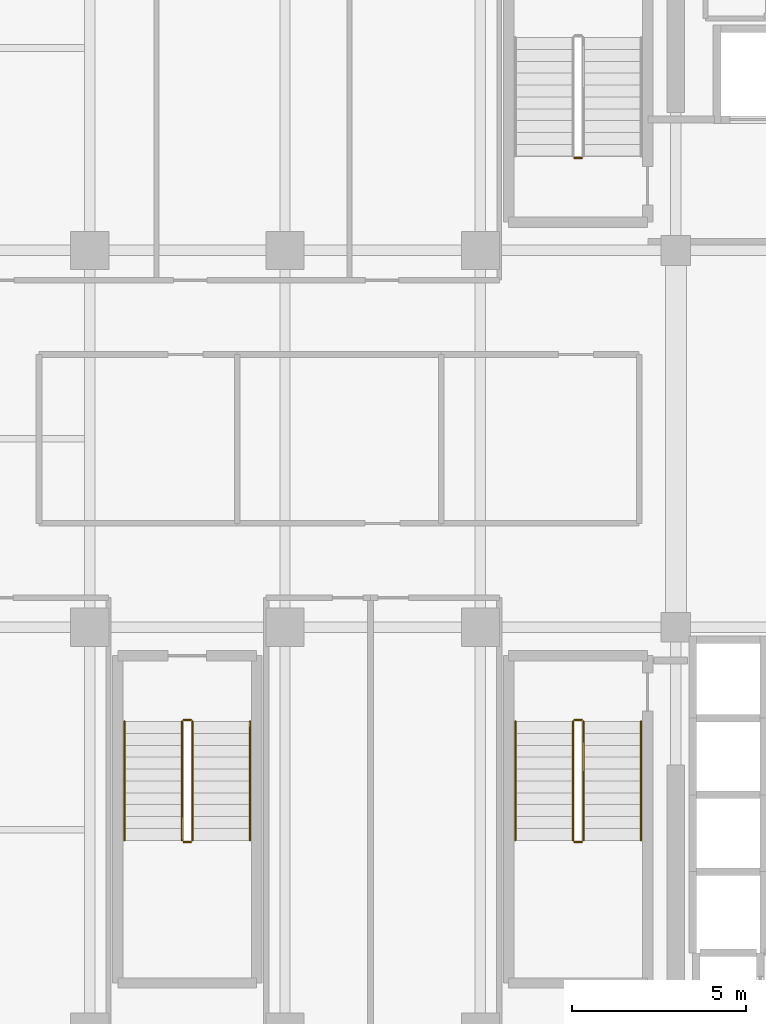
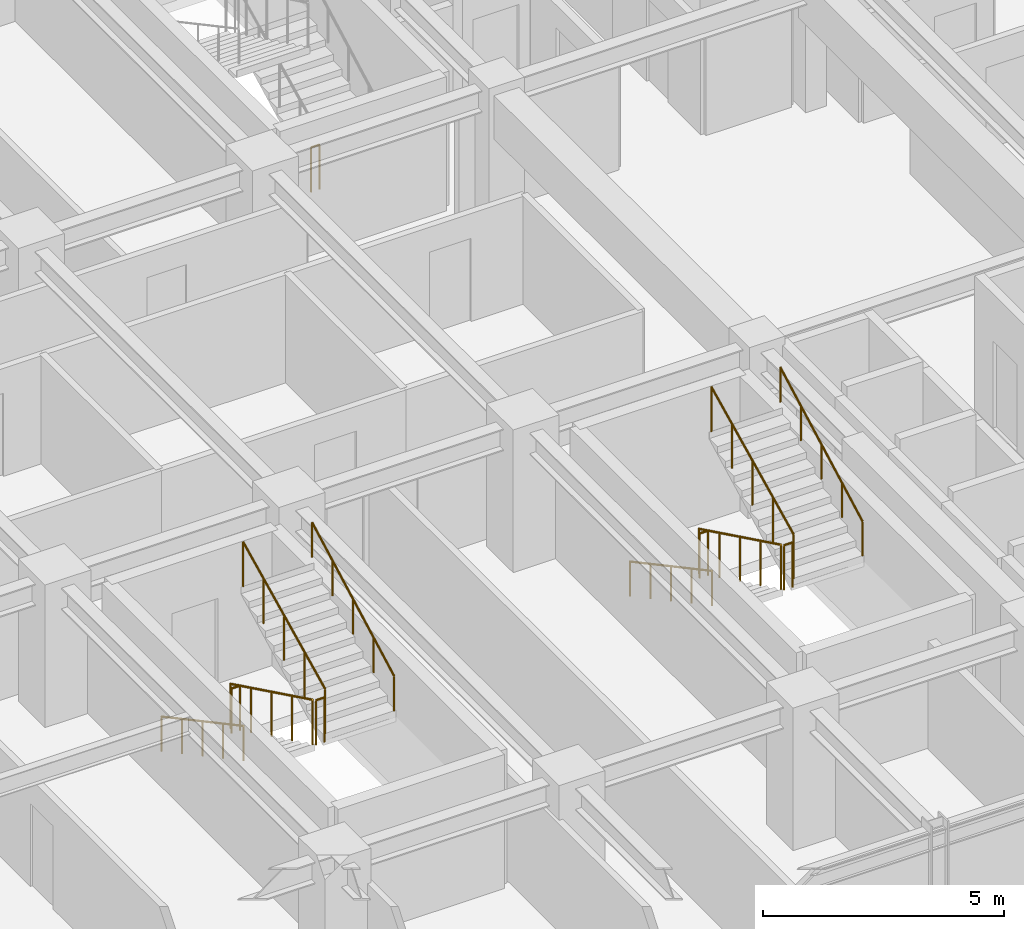
# One storey, part 26 of 29: 13 railings.
"""IFC4 building model written with IfcOpenShell, lengths in metres."""

from ifc_helpers import new_model, si_unit, direction, frame, origin, origin_2d, place, context, subcontext, project, spatial, circle, extrude, material, type_object, element, save


model = new_model("IFC4")

# Units and contexts
model_context = context("Model", 3, precision=1e-05, world=origin(), true_north=direction((0.0, 1.0)))
body_context = subcontext(model_context, "Body", "Model", "MODEL_VIEW")
ifc_project = project(units=[si_unit("LENGTHUNIT", "METRE"), si_unit("AREAUNIT", "SQUARE_METRE"), si_unit("VOLUMEUNIT", "CUBIC_METRE"), si_unit("PLANEANGLEUNIT", "RADIAN"), si_unit("MASSUNIT", "GRAM", prefix="KILO")], contexts=[model_context])

# Site, building, storey
site_placement = place(None, origin())
site = spatial("IfcSite", under=ifc_project, at=site_placement, CompositionType="ELEMENT")
building_placement = place(site_placement, origin())
building = spatial("IfcBuilding", under=site, at=building_placement, Name="Nahalor Promenade Grand Hotel", CompositionType="ELEMENT")
storey_placement = place(building_placement, frame((0.0, 0.0, 189.14990234375)))
storey = spatial("IfcBuildingStorey", under=building, at=storey_placement, Name="L48", CompositionType="ELEMENT", Elevation=189.14990234375)

# Railings
ifc_material = material(Name="Steel S355JR", Category="steel")
railing_type_1 = type_object("IfcRailingType", Name="Steel Stair Guardrail 1150 mm", PredefinedType="GUARDRAIL", material=ifc_material)
railing_1_placement = place(storey_placement, frame((5.699951171875, 8.050048828125, 0.0)))
element("IfcRailing", 1, at=railing_1_placement, inside=storey, type_object=railing_type_1, Name="L48 ST1 stair guard 4", PredefinedType="GUARDRAIL", context=body_context, shape_type="SweptSolid", body=[
    extrude(circle(Radius=0.024048, at=origin_2d()), frame((0.0, 0.0, 1.1259765625), z_axis=(-1.0, 0.0, 0.0), x_axis=(0.0, -1.0, 0.0)), (0.0, 0.0, 1.0), 0.199951171875),
    extrude(circle(Radius=0.020996, at=origin_2d()), origin(), (0.0, 0.0, 1.0), 1.099853515625),
    extrude(circle(Radius=0.020996, at=origin_2d()), frame((-0.199951171875, 0.0, 0.0)), (0.0, 0.0, 1.0), 1.099853515625),
])
railing_2_placement = place(storey_placement, frame((5.449951171875, -8.10009765625, 0.166015625)))
element("IfcRailing", 2, at=railing_2_placement, inside=storey, type_object=railing_type_1, Name="L48 ST2 stair guard 1", PredefinedType="GUARDRAIL", context=body_context, shape_type="SweptSolid", body=[
    extrude(circle(Radius=0.024048, at=origin_2d()), frame((0.0, 0.0, 1.1259765625), z_axis=(0.0, -0.898696488221, 0.438571114028), x_axis=(1.0, 0.0, 0.0)), (0.0, 0.0, 1.0), 3.783203125),
    extrude(circle(Radius=0.020996, at=origin_2d()), origin(), (0.0, 0.0, 1.0), 1.099853515625),
    extrude(circle(Radius=0.020996, at=origin_2d()), frame((0.0, -0.85009765625, 0.414794921875)), (0.0, 0.0, 1.0), 1.099853515625),
    extrude(circle(Radius=0.020996, at=origin_2d()), frame((0.0, -1.699951171875, 0.82958984375)), (0.0, 0.0, 1.0), 1.099853515625),
    extrude(circle(Radius=0.020996, at=origin_2d()), frame((0.0, -2.5498046875, 1.244384765625)), (0.0, 0.0, 1.0), 1.099853515625),
    extrude(circle(Radius=0.020996, at=origin_2d()), frame((0.0, -3.39990234375, 1.6591796875)), (0.0, 0.0, 1.0), 1.099853515625),
])
railing_3_placement = place(storey_placement, frame((5.5, -11.550048828125, 1.8251953125)))
element("IfcRailing", 3, at=railing_3_placement, inside=storey, type_object=railing_type_1, Name="L48 ST2 stair guard 2", PredefinedType="GUARDRAIL", context=body_context, shape_type="SweptSolid", body=[
    extrude(circle(Radius=0.024048, at=origin_2d()), frame((0.0, 0.0, 1.1259765625), z_axis=(1.0, 0.0, 0.0), x_axis=(0.0, 1.0, 0.0)), (0.0, 0.0, 1.0), 0.199951171875),
    extrude(circle(Radius=0.020996, at=origin_2d()), origin(), (0.0, 0.0, 1.0), 1.099853515625),
    extrude(circle(Radius=0.020996, at=origin_2d()), frame((0.199951171875, 0.0, 0.0)), (0.0, 0.0, 1.0), 1.099853515625),
])
railing_4_placement = place(storey_placement, frame((5.75, -11.5, 1.990966796875)))
element("IfcRailing", 4, at=railing_4_placement, inside=storey, type_object=railing_type_1, Name="L48 ST2 stair guard 3", PredefinedType="GUARDRAIL", context=body_context, shape_type="SweptSolid", body=[
    extrude(circle(Radius=0.024048, at=origin_2d()), frame((0.0, 0.0, 1.1259765625), z_axis=(0.0, 0.898696488221, 0.438571114028), x_axis=(-1.0, 0.0, 0.0)), (0.0, 0.0, 1.0), 3.783203125),
    extrude(circle(Radius=0.020996, at=origin_2d()), origin(), (0.0, 0.0, 1.0), 1.099853515625),
    extrude(circle(Radius=0.020996, at=origin_2d()), frame((0.0, 0.85009765625, 0.414794921875)), (0.0, 0.0, 1.0), 1.099853515625),
    extrude(circle(Radius=0.020996, at=origin_2d()), frame((0.0, 1.699951171875, 0.82958984375)), (0.0, 0.0, 1.0), 1.099853515625),
    extrude(circle(Radius=0.020996, at=origin_2d()), frame((0.0, 2.5498046875, 1.244384765625)), (0.0, 0.0, 1.0), 1.099853515625),
    extrude(circle(Radius=0.020996, at=origin_2d()), frame((0.0, 3.39990234375, 1.6591796875)), (0.0, 0.0, 1.0), 1.099853515625),
])
railing_5_placement = place(storey_placement, frame((5.5, -8.050048828125, 0.0)))
element("IfcRailing", 5, at=railing_5_placement, inside=storey, type_object=railing_type_1, Name="L48 ST2 stair guard 4", PredefinedType="GUARDRAIL", context=body_context, shape_type="SweptSolid", body=[
    extrude(circle(Radius=0.024048, at=origin_2d()), frame((0.0, 0.0, 1.1259765625), z_axis=(1.0, 0.0, 0.0), x_axis=(0.0, 1.0, 0.0)), (0.0, 0.0, 1.0), 0.199951171875),
    extrude(circle(Radius=0.020996, at=origin_2d()), origin(), (0.0, 0.0, 1.0), 1.099853515625),
    extrude(circle(Radius=0.020996, at=origin_2d()), frame((0.199951171875, 0.0, 0.0)), (0.0, 0.0, 1.0), 1.099853515625),
])
railing_6_placement = place(storey_placement, frame((-5.75, -8.10009765625, 0.166015625)))
element("IfcRailing", 6, at=railing_6_placement, inside=storey, type_object=railing_type_1, Name="L48 ST3 stair guard 1", PredefinedType="GUARDRAIL", context=body_context, shape_type="SweptSolid", body=[
    extrude(circle(Radius=0.024048, at=origin_2d()), frame((0.0, 0.0, 1.1259765625), z_axis=(0.0, -0.898696488221, 0.438571114028), x_axis=(1.0, 0.0, 0.0)), (0.0, 0.0, 1.0), 3.783203125),
    extrude(circle(Radius=0.020996, at=origin_2d()), origin(), (0.0, 0.0, 1.0), 1.099853515625),
    extrude(circle(Radius=0.020996, at=origin_2d()), frame((0.0, -0.85009765625, 0.414794921875)), (0.0, 0.0, 1.0), 1.099853515625),
    extrude(circle(Radius=0.020996, at=origin_2d()), frame((0.0, -1.699951171875, 0.82958984375)), (0.0, 0.0, 1.0), 1.099853515625),
    extrude(circle(Radius=0.020996, at=origin_2d()), frame((0.0, -2.5498046875, 1.244384765625)), (0.0, 0.0, 1.0), 1.099853515625),
    extrude(circle(Radius=0.020996, at=origin_2d()), frame((0.0, -3.39990234375, 1.6591796875)), (0.0, 0.0, 1.0), 1.099853515625),
])
railing_7_placement = place(storey_placement, frame((-5.699951171875, -11.550048828125, 1.8251953125)))
element("IfcRailing", 7, at=railing_7_placement, inside=storey, type_object=railing_type_1, Name="L48 ST3 stair guard 2", PredefinedType="GUARDRAIL", context=body_context, shape_type="SweptSolid", body=[
    extrude(circle(Radius=0.024048, at=origin_2d()), frame((0.0, 0.0, 1.1259765625), z_axis=(1.0, 0.0, 0.0), x_axis=(0.0, 1.0, 0.0)), (0.0, 0.0, 1.0), 0.199951171875),
    extrude(circle(Radius=0.020996, at=origin_2d()), origin(), (0.0, 0.0, 1.0), 1.099853515625),
    extrude(circle(Radius=0.020996, at=origin_2d()), frame((0.199951171875, 0.0, 0.0)), (0.0, 0.0, 1.0), 1.099853515625),
])
railing_8_placement = place(storey_placement, frame((-5.449951171875, -11.5, 1.990966796875)))
element("IfcRailing", 8, at=railing_8_placement, inside=storey, type_object=railing_type_1, Name="L48 ST3 stair guard 3", PredefinedType="GUARDRAIL", context=body_context, shape_type="SweptSolid", body=[
    extrude(circle(Radius=0.024048, at=origin_2d()), frame((0.0, 0.0, 1.1259765625), z_axis=(0.0, 0.898696488221, 0.438571114028), x_axis=(-1.0, 0.0, 0.0)), (0.0, 0.0, 1.0), 3.783203125),
    extrude(circle(Radius=0.020996, at=origin_2d()), origin(), (0.0, 0.0, 1.0), 1.099853515625),
    extrude(circle(Radius=0.020996, at=origin_2d()), frame((0.0, 0.85009765625, 0.414794921875)), (0.0, 0.0, 1.0), 1.099853515625),
    extrude(circle(Radius=0.020996, at=origin_2d()), frame((0.0, 1.699951171875, 0.82958984375)), (0.0, 0.0, 1.0), 1.099853515625),
    extrude(circle(Radius=0.020996, at=origin_2d()), frame((0.0, 2.5498046875, 1.244384765625)), (0.0, 0.0, 1.0), 1.099853515625),
    extrude(circle(Radius=0.020996, at=origin_2d()), frame((0.0, 3.39990234375, 1.6591796875)), (0.0, 0.0, 1.0), 1.099853515625),
])
railing_9_placement = place(storey_placement, frame((-5.699951171875, -8.050048828125, 0.0)))
element("IfcRailing", 9, at=railing_9_placement, inside=storey, type_object=railing_type_1, Name="L48 ST3 stair guard 4", PredefinedType="GUARDRAIL", context=body_context, shape_type="SweptSolid", body=[
    extrude(circle(Radius=0.024048, at=origin_2d()), frame((0.0, 0.0, 1.1259765625), z_axis=(1.0, 0.0, 0.0), x_axis=(0.0, 1.0, 0.0)), (0.0, 0.0, 1.0), 0.199951171875),
    extrude(circle(Radius=0.020996, at=origin_2d()), origin(), (0.0, 0.0, 1.0), 1.099853515625),
    extrude(circle(Radius=0.020996, at=origin_2d()), frame((0.199951171875, 0.0, 0.0)), (0.0, 0.0, 1.0), 1.099853515625),
])
railing_type_2 = type_object("IfcRailingType", Name="Steel Stair Handrail 900 mm", PredefinedType="HANDRAIL", material=ifc_material)
railing_10_placement = place(storey_placement, frame((3.800048828125, -8.10009765625, 0.166015625)))
element("IfcRailing", 10, at=railing_10_placement, inside=storey, type_object=railing_type_2, Name="L48 ST2 stair handrail 1", PredefinedType="HANDRAIL", context=body_context, shape_type="SweptSolid", body=[
    extrude(circle(Radius=0.024048, at=origin_2d()), frame((0.0, 0.0, 0.8759765625), z_axis=(0.0, -0.881094038095, 0.47294111265), x_axis=(1.0, 0.0, 0.0)), (0.0, 0.0, 1.0), 3.858642578125),
    extrude(circle(Radius=0.020996, at=origin_2d()), origin(), (0.0, 0.0, 1.0), 0.849853515625),
    extrude(circle(Radius=0.020996, at=origin_2d()), frame((0.0, -0.85009765625, 0.456298828125)), (0.0, 0.0, 1.0), 0.849853515625),
    extrude(circle(Radius=0.020996, at=origin_2d()), frame((0.0, -1.699951171875, 0.91259765625)), (0.0, 0.0, 1.0), 0.849853515625),
    extrude(circle(Radius=0.020996, at=origin_2d()), frame((0.0, -2.5498046875, 1.36865234375)), (0.0, 0.0, 1.0), 0.849853515625),
    extrude(circle(Radius=0.020996, at=origin_2d()), frame((0.0, -3.39990234375, 1.824951171875)), (0.0, 0.0, 1.0), 0.849853515625),
])
railing_11_placement = place(storey_placement, frame((7.39990234375, -11.5, 1.990966796875)))
element("IfcRailing", 11, at=railing_11_placement, inside=storey, type_object=railing_type_2, Name="L48 ST2 stair handrail 2", PredefinedType="HANDRAIL", context=body_context, shape_type="SweptSolid", body=[
    extrude(circle(Radius=0.024048, at=origin_2d()), frame((0.0, 0.0, 0.8759765625), z_axis=(0.0, 0.881094038095, 0.47294111265), x_axis=(-1.0, 0.0, 0.0)), (0.0, 0.0, 1.0), 3.858642578125),
    extrude(circle(Radius=0.020996, at=origin_2d()), origin(), (0.0, 0.0, 1.0), 0.849853515625),
    extrude(circle(Radius=0.020996, at=origin_2d()), frame((0.0, 0.85009765625, 0.456298828125)), (0.0, 0.0, 1.0), 0.849853515625),
    extrude(circle(Radius=0.020996, at=origin_2d()), frame((0.0, 1.699951171875, 0.91259765625)), (0.0, 0.0, 1.0), 0.849853515625),
    extrude(circle(Radius=0.020996, at=origin_2d()), frame((0.0, 2.5498046875, 1.36865234375)), (0.0, 0.0, 1.0), 0.849853515625),
    extrude(circle(Radius=0.020996, at=origin_2d()), frame((0.0, 3.39990234375, 1.824951171875)), (0.0, 0.0, 1.0), 0.849853515625),
])
railing_12_placement = place(storey_placement, frame((-7.39990234375, -8.10009765625, 0.166015625)))
element("IfcRailing", 12, at=railing_12_placement, inside=storey, type_object=railing_type_2, Name="L48 ST3 stair handrail 1", PredefinedType="HANDRAIL", context=body_context, shape_type="SweptSolid", body=[
    extrude(circle(Radius=0.024048, at=origin_2d()), frame((0.0, 0.0, 0.8759765625), z_axis=(0.0, -0.881094038095, 0.47294111265), x_axis=(1.0, 0.0, 0.0)), (0.0, 0.0, 1.0), 3.858642578125),
    extrude(circle(Radius=0.020996, at=origin_2d()), origin(), (0.0, 0.0, 1.0), 0.849853515625),
    extrude(circle(Radius=0.020996, at=origin_2d()), frame((0.0, -0.85009765625, 0.456298828125)), (0.0, 0.0, 1.0), 0.849853515625),
    extrude(circle(Radius=0.020996, at=origin_2d()), frame((0.0, -1.699951171875, 0.91259765625)), (0.0, 0.0, 1.0), 0.849853515625),
    extrude(circle(Radius=0.020996, at=origin_2d()), frame((0.0, -2.5498046875, 1.36865234375)), (0.0, 0.0, 1.0), 0.849853515625),
    extrude(circle(Radius=0.020996, at=origin_2d()), frame((0.0, -3.39990234375, 1.824951171875)), (0.0, 0.0, 1.0), 0.849853515625),
])
railing_13_placement = place(storey_placement, frame((-3.800048828125, -11.5, 1.990966796875)))
element("IfcRailing", 13, at=railing_13_placement, inside=storey, type_object=railing_type_2, Name="L48 ST3 stair handrail 2", PredefinedType="HANDRAIL", context=body_context, shape_type="SweptSolid", body=[
    extrude(circle(Radius=0.024048, at=origin_2d()), frame((0.0, 0.0, 0.8759765625), z_axis=(0.0, 0.881094038095, 0.47294111265), x_axis=(-1.0, 0.0, 0.0)), (0.0, 0.0, 1.0), 3.858642578125),
    extrude(circle(Radius=0.020996, at=origin_2d()), origin(), (0.0, 0.0, 1.0), 0.849853515625),
    extrude(circle(Radius=0.020996, at=origin_2d()), frame((0.0, 0.85009765625, 0.456298828125)), (0.0, 0.0, 1.0), 0.849853515625),
    extrude(circle(Radius=0.020996, at=origin_2d()), frame((0.0, 1.699951171875, 0.91259765625)), (0.0, 0.0, 1.0), 0.849853515625),
    extrude(circle(Radius=0.020996, at=origin_2d()), frame((0.0, 2.5498046875, 1.36865234375)), (0.0, 0.0, 1.0), 0.849853515625),
    extrude(circle(Radius=0.020996, at=origin_2d()), frame((0.0, 3.39990234375, 1.824951171875)), (0.0, 0.0, 1.0), 0.849853515625),
])

save(model, "model.ifc")
